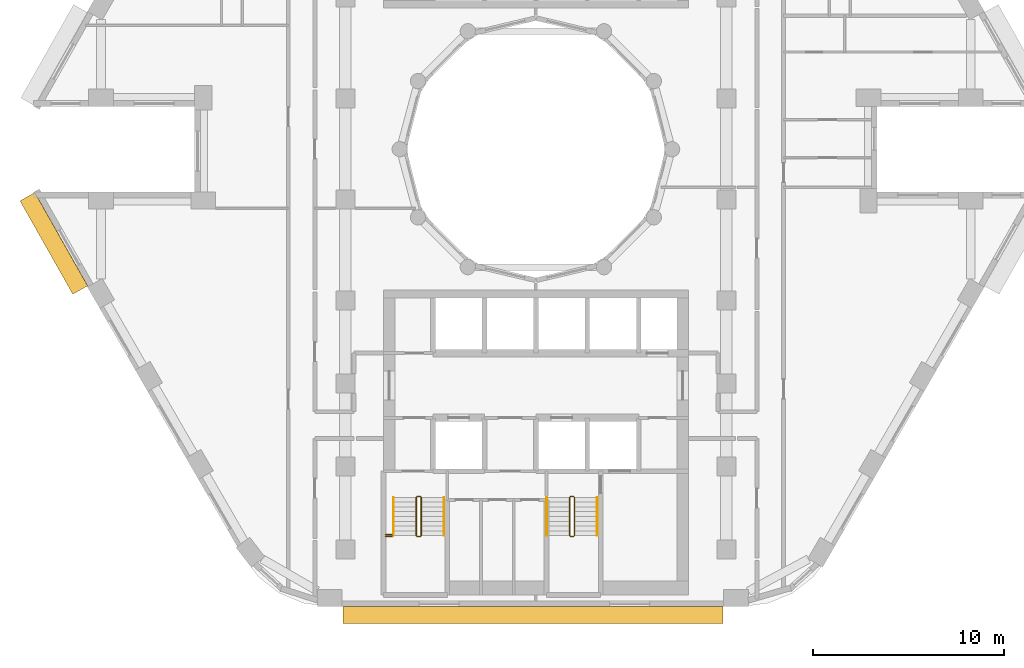
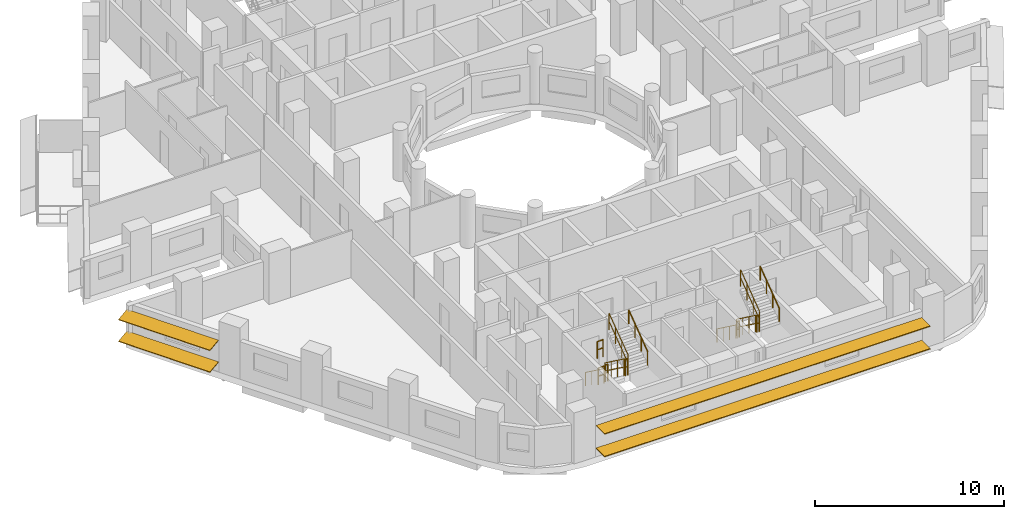
# One storey, part 12 of 14: 14 railings, 4 shading devices.
"""IFC4 building model written with IfcOpenShell, lengths in metres."""

from ifc_helpers import new_model, si_unit, direction, frame, origin, origin_2d, place, context, subcontext, project, spatial, rectangle, circle, extrude, material, material_profile, profile_set, type_object, element, save


model = new_model("IFC4")

# Units and contexts
model_context = context("Model", 3, precision=1e-05, world=origin(), true_north=direction((0.0, 1.0)))
body_context = subcontext(model_context, "Body", "Model", "MODEL_VIEW")
ifc_project = project(units=[si_unit("LENGTHUNIT", "METRE"), si_unit("AREAUNIT", "SQUARE_METRE"), si_unit("VOLUMEUNIT", "CUBIC_METRE"), si_unit("PLANEANGLEUNIT", "RADIAN"), si_unit("MASSUNIT", "GRAM", prefix="KILO")], contexts=[model_context])

# Site, building, storey
site_placement = place(None, origin())
site = spatial("IfcSite", under=ifc_project, at=site_placement, CompositionType="ELEMENT")
building_placement = place(site_placement, origin())
building = spatial("IfcBuilding", under=site, at=building_placement, Name="Nakaniwa Court", CompositionType="ELEMENT")
storey_placement = place(building_placement, frame((0.0, 0.0, 127.199951171875)))
storey = spatial("IfcBuildingStorey", under=building, at=storey_placement, Name="L32", CompositionType="ELEMENT", Elevation=127.199951171875)

# Shading devices
ifc_material_1 = material(Name="Perforated charcoal ceramic louvre blade")
ifc_material_profile = material_profile(ifc_material_1, rectangle(XDim=0.89990234375, YDim=0.050048828125, at=origin_2d()), Name="Perforated ceramic louvre blade")
ifc_profile_set = profile_set([ifc_material_profile], Name="Perforated charcoal ceramic louvre blade")
shading_device_type = type_object("IfcShadingDeviceType", Name="Perforated ceramic louvre blade", PredefinedType="JALOUSIE", material=ifc_profile_set)
for number, where, z_axis, x_axis, name in (
    (1, (53.31689453125, 77.5078125, 0.550048828125), (0.49253187421, -0.870294405869, 0.0), (0.862649339692, 0.488205247786, 0.132256390257), "L32 perforated ceramic louvre blade w20 1"),
    (2, (53.31689453125, 77.5078125, 1.955810546875), (0.49253187421, -0.870294405869, 0.0), (0.862649339692, 0.488205247786, 0.132256390257), "L32 perforated ceramic louvre blade w20 2"),
):
    element("IfcShadingDevice", number, at=place(storey_placement, frame(where, z_axis=z_axis, x_axis=x_axis)), inside=storey, type_object=shading_device_type, Name=name, PredefinedType="JALOUSIE", context=body_context, shape_type="SweptSolid", body=[
        extrude(rectangle(XDim=0.89990234375, YDim=0.050048828125, at=origin_2d()), origin(), (0.0, 0.0, 1.0), 5.62646484375),
    ])
for number, where, z_axis, x_axis, name in (
    (3, (69.871337890625, 55.550048828125, 0.550048828125), (1.0, 0.0, 0.0), (0.0, 1.0, 0.0), "L32 perforated ceramic louvre blade w26 1"),
    (4, (69.871337890625, 55.550048828125, 2.01513671875), (1.0, 0.0, 0.0), (0.0, 1.0, 0.0), "L32 perforated ceramic louvre blade w26 2"),
):
    element("IfcShadingDevice", number, at=place(storey_placement, frame(where, z_axis=z_axis, x_axis=x_axis)), inside=storey, type_object=shading_device_type, Name=name, PredefinedType="JALOUSIE", context=body_context, shape_type="SweptSolid", body=[
        extrude(rectangle(XDim=0.89990234375, YDim=0.050048828125, at=origin_2d()), origin(), (0.0, 0.0, 1.0), 19.939697265625),
    ])

# Railings
ifc_material_2 = material(Name="Black powder coated steel guard", Category="steel")
railing_type_1 = type_object("IfcRailingType", Name="Stair guard 1100", PredefinedType="GUARDRAIL", material=ifc_material_2)
railing_1_placement = place(storey_placement, frame((73.72509765625, 61.72509765625, 0.183349609375)))
element("IfcRailing", 5, at=railing_1_placement, inside=storey, type_object=railing_type_1, Name="L32 ST3 stair guard 1", PredefinedType="GUARDRAIL", context=body_context, shape_type="SweptSolid", body=[
    extrude(circle(Radius=0.02392578125, at=origin_2d()), frame((0.0, 0.0, 1.076171875), z_axis=(0.0, -0.806379959628, 0.591397802423), x_axis=(1.0, 0.0, 0.0)), (0.0, 0.0, 1.0), 2.480224609375),
    extrude(circle(Radius=0.02392578125, at=origin_2d()), frame((0.0, 0.0, 0.550048828125), z_axis=(0.0, -0.806379959628, 0.591397802423), x_axis=(1.0, 0.0, 0.0)), (0.0, 0.0, 1.0), 2.480224609375),
    extrude(circle(Radius=0.02099609375, at=origin_2d()), origin(), (0.0, 0.0, 1.0), 1.052001953125),
    extrude(circle(Radius=0.02099609375, at=origin_2d()), frame((0.0, -0.666748046875, 0.489013671875)), (0.0, 0.0, 1.0), 1.052001953125),
    extrude(circle(Radius=0.02099609375, at=origin_2d()), frame((0.0, -1.333251953125, 0.977783203125)), (0.0, 0.0, 1.0), 1.052001953125),
    extrude(circle(Radius=0.02099609375, at=origin_2d()), frame((0.0, -2.0, 1.466796875)), (0.0, 0.0, 1.0), 1.052001953125),
])
railing_2_placement = place(storey_placement, frame((73.77490234375, 59.675048828125, 1.650146484375)))
element("IfcRailing", 6, at=railing_2_placement, inside=storey, type_object=railing_type_1, Name="L32 ST3 stair guard 2", PredefinedType="GUARDRAIL", context=body_context, shape_type="SweptSolid", body=[
    extrude(circle(Radius=0.02392578125, at=origin_2d()), frame((0.0, 0.0, 1.076171875), z_axis=(1.0, 0.0, 0.0), x_axis=(0.0, 1.0, 0.0)), (0.0, 0.0, 1.0), 0.150146484375),
    extrude(circle(Radius=0.02392578125, at=origin_2d()), frame((0.0, 0.0, 0.550048828125), z_axis=(1.0, 0.0, 0.0), x_axis=(0.0, 1.0, 0.0)), (0.0, 0.0, 1.0), 0.150146484375),
    extrude(circle(Radius=0.02099609375, at=origin_2d()), origin(), (0.0, 0.0, 1.0), 1.052001953125),
    extrude(circle(Radius=0.02099609375, at=origin_2d()), frame((0.150146484375, 0.0, 0.0)), (0.0, 0.0, 1.0), 1.052001953125),
])
railing_3_placement = place(storey_placement, frame((73.97509765625, 59.72509765625, 1.83349609375)))
element("IfcRailing", 7, at=railing_3_placement, inside=storey, type_object=railing_type_1, Name="L32 ST3 stair guard 3", PredefinedType="GUARDRAIL", context=body_context, shape_type="SweptSolid", body=[
    extrude(circle(Radius=0.02392578125, at=origin_2d()), frame((0.0, 0.0, 1.076171875), z_axis=(0.0, 0.806426902644, 0.591333789573), x_axis=(-1.0, 0.0, 0.0)), (0.0, 0.0, 1.0), 2.47998046875),
    extrude(circle(Radius=0.02392578125, at=origin_2d()), frame((0.0, 0.0, 0.550048828125), z_axis=(0.0, 0.806426902644, 0.591333789573), x_axis=(-1.0, 0.0, 0.0)), (0.0, 0.0, 1.0), 2.47998046875),
    extrude(circle(Radius=0.02099609375, at=origin_2d()), origin(), (0.0, 0.0, 1.0), 1.052001953125),
    extrude(circle(Radius=0.02099609375, at=origin_2d()), frame((0.0, 0.666748046875, 0.48876953125)), (0.0, 0.0, 1.0), 1.052001953125),
    extrude(circle(Radius=0.02099609375, at=origin_2d()), frame((0.0, 1.333251953125, 0.977783203125)), (0.0, 0.0, 1.0), 1.052001953125),
    extrude(circle(Radius=0.02099609375, at=origin_2d()), frame((0.0, 2.0, 1.466552734375)), (0.0, 0.0, 1.0), 1.052001953125),
])
railing_4_placement = place(storey_placement, frame((73.77490234375, 61.77490234375, 0.0)))
element("IfcRailing", 8, at=railing_4_placement, inside=storey, type_object=railing_type_1, Name="L32 ST3 stair guard 4", PredefinedType="GUARDRAIL", context=body_context, shape_type="SweptSolid", body=[
    extrude(circle(Radius=0.02392578125, at=origin_2d()), frame((0.0, 0.0, 1.076171875), z_axis=(1.0, 0.0, 0.0), x_axis=(0.0, 1.0, 0.0)), (0.0, 0.0, 1.0), 0.150146484375),
    extrude(circle(Radius=0.02392578125, at=origin_2d()), frame((0.0, 0.0, 0.550048828125), z_axis=(1.0, 0.0, 0.0), x_axis=(0.0, 1.0, 0.0)), (0.0, 0.0, 1.0), 0.150146484375),
    extrude(circle(Radius=0.02099609375, at=origin_2d()), origin(), (0.0, 0.0, 1.0), 1.052001953125),
    extrude(circle(Radius=0.02099609375, at=origin_2d()), frame((0.150146484375, 0.0, 0.0)), (0.0, 0.0, 1.0), 1.052001953125),
])
for number, where, name in (
    (9, (72.125, 59.675048828125, 1.650146484375), "L32 ST3 landing side guard 1W"),
    (10, (72.125, 59.77490234375, 3.300048828125), "L32 ST3 floor edge guard 1W"),
):
    element("IfcRailing", number, at=place(storey_placement, frame(where)), inside=storey, type_object=railing_type_1, Name=name, PredefinedType="GUARDRAIL", context=body_context, shape_type="SweptSolid", body=[
        extrude(circle(Radius=0.02392578125, at=origin_2d()), frame((0.0, 0.0, 1.076171875), z_axis=(1.0, 0.0, 0.0), x_axis=(0.0, 1.0, 0.0)), (0.0, 0.0, 1.0), 0.35009765625),
        extrude(circle(Radius=0.02392578125, at=origin_2d()), frame((0.0, 0.0, 0.550048828125), z_axis=(1.0, 0.0, 0.0), x_axis=(0.0, 1.0, 0.0)), (0.0, 0.0, 1.0), 0.35009765625),
        extrude(circle(Radius=0.02099609375, at=origin_2d()), origin(), (0.0, 0.0, 1.0), 1.052001953125),
        extrude(circle(Radius=0.02099609375, at=origin_2d()), frame((0.35009765625, 0.0, 0.0)), (0.0, 0.0, 1.0), 1.052001953125),
    ])
railing_5_placement = place(storey_placement, frame((81.77490234375, 61.72509765625, 0.183349609375)))
element("IfcRailing", 11, at=railing_5_placement, inside=storey, type_object=railing_type_1, Name="L32 ST4 stair guard 1", PredefinedType="GUARDRAIL", context=body_context, shape_type="SweptSolid", body=[
    extrude(circle(Radius=0.02392578125, at=origin_2d()), frame((0.0, 0.0, 1.076171875), z_axis=(0.0, -0.806379959628, 0.591397802423), x_axis=(1.0, 0.0, 0.0)), (0.0, 0.0, 1.0), 2.480224609375),
    extrude(circle(Radius=0.02392578125, at=origin_2d()), frame((0.0, 0.0, 0.550048828125), z_axis=(0.0, -0.806379959628, 0.591397802423), x_axis=(1.0, 0.0, 0.0)), (0.0, 0.0, 1.0), 2.480224609375),
    extrude(circle(Radius=0.02099609375, at=origin_2d()), origin(), (0.0, 0.0, 1.0), 1.052001953125),
    extrude(circle(Radius=0.02099609375, at=origin_2d()), frame((0.0, -0.666748046875, 0.489013671875)), (0.0, 0.0, 1.0), 1.052001953125),
    extrude(circle(Radius=0.02099609375, at=origin_2d()), frame((0.0, -1.333251953125, 0.977783203125)), (0.0, 0.0, 1.0), 1.052001953125),
    extrude(circle(Radius=0.02099609375, at=origin_2d()), frame((0.0, -2.0, 1.466796875)), (0.0, 0.0, 1.0), 1.052001953125),
])
railing_6_placement = place(storey_placement, frame((81.824951171875, 59.675048828125, 1.650146484375)))
element("IfcRailing", 12, at=railing_6_placement, inside=storey, type_object=railing_type_1, Name="L32 ST4 stair guard 2", PredefinedType="GUARDRAIL", context=body_context, shape_type="SweptSolid", body=[
    extrude(circle(Radius=0.02392578125, at=origin_2d()), frame((0.0, 0.0, 1.076171875), z_axis=(1.0, 0.0, 0.0), x_axis=(0.0, 1.0, 0.0)), (0.0, 0.0, 1.0), 0.150146484375),
    extrude(circle(Radius=0.02392578125, at=origin_2d()), frame((0.0, 0.0, 0.550048828125), z_axis=(1.0, 0.0, 0.0), x_axis=(0.0, 1.0, 0.0)), (0.0, 0.0, 1.0), 0.150146484375),
    extrude(circle(Radius=0.02099609375, at=origin_2d()), origin(), (0.0, 0.0, 1.0), 1.052001953125),
    extrude(circle(Radius=0.02099609375, at=origin_2d()), frame((0.150146484375, 0.0, 0.0)), (0.0, 0.0, 1.0), 1.052001953125),
])
railing_7_placement = place(storey_placement, frame((82.02490234375, 59.72509765625, 1.83349609375)))
element("IfcRailing", 13, at=railing_7_placement, inside=storey, type_object=railing_type_1, Name="L32 ST4 stair guard 3", PredefinedType="GUARDRAIL", context=body_context, shape_type="SweptSolid", body=[
    extrude(circle(Radius=0.02392578125, at=origin_2d()), frame((0.0, 0.0, 1.076171875), z_axis=(0.0, 0.806426902644, 0.591333789573), x_axis=(-1.0, 0.0, 0.0)), (0.0, 0.0, 1.0), 2.47998046875),
    extrude(circle(Radius=0.02392578125, at=origin_2d()), frame((0.0, 0.0, 0.550048828125), z_axis=(0.0, 0.806426902644, 0.591333789573), x_axis=(-1.0, 0.0, 0.0)), (0.0, 0.0, 1.0), 2.47998046875),
    extrude(circle(Radius=0.02099609375, at=origin_2d()), origin(), (0.0, 0.0, 1.0), 1.052001953125),
    extrude(circle(Radius=0.02099609375, at=origin_2d()), frame((0.0, 0.666748046875, 0.48876953125)), (0.0, 0.0, 1.0), 1.052001953125),
    extrude(circle(Radius=0.02099609375, at=origin_2d()), frame((0.0, 1.333251953125, 0.977783203125)), (0.0, 0.0, 1.0), 1.052001953125),
    extrude(circle(Radius=0.02099609375, at=origin_2d()), frame((0.0, 2.0, 1.466552734375)), (0.0, 0.0, 1.0), 1.052001953125),
])
railing_8_placement = place(storey_placement, frame((81.824951171875, 61.77490234375, 0.0)))
element("IfcRailing", 14, at=railing_8_placement, inside=storey, type_object=railing_type_1, Name="L32 ST4 stair guard 4", PredefinedType="GUARDRAIL", context=body_context, shape_type="SweptSolid", body=[
    extrude(circle(Radius=0.02392578125, at=origin_2d()), frame((0.0, 0.0, 1.076171875), z_axis=(1.0, 0.0, 0.0), x_axis=(0.0, 1.0, 0.0)), (0.0, 0.0, 1.0), 0.150146484375),
    extrude(circle(Radius=0.02392578125, at=origin_2d()), frame((0.0, 0.0, 0.550048828125), z_axis=(1.0, 0.0, 0.0), x_axis=(0.0, 1.0, 0.0)), (0.0, 0.0, 1.0), 0.150146484375),
    extrude(circle(Radius=0.02099609375, at=origin_2d()), origin(), (0.0, 0.0, 1.0), 1.052001953125),
    extrude(circle(Radius=0.02099609375, at=origin_2d()), frame((0.150146484375, 0.0, 0.0)), (0.0, 0.0, 1.0), 1.052001953125),
])
ifc_material_3 = material(Name="Black powder coated steel handrail", Category="steel")
railing_type_2 = type_object("IfcRailingType", Name="Stair handrail 900", PredefinedType="HANDRAIL", material=ifc_material_3)
railing_9_placement = place(storey_placement, frame((72.52490234375, 61.72509765625, 0.183349609375)))
element("IfcRailing", 15, at=railing_9_placement, inside=storey, type_object=railing_type_2, Name="L32 ST3 stair handrail 1", PredefinedType="HANDRAIL", context=body_context, shape_type="SweptSolid", body=[
    extrude(circle(Radius=0.02392578125, at=origin_2d()), frame((0.0, 0.0, 0.8759765625), z_axis=(0.0, -0.806379959628, 0.591397802423), x_axis=(1.0, 0.0, 0.0)), (0.0, 0.0, 1.0), 2.480224609375),
    extrude(circle(Radius=0.02099609375, at=origin_2d()), origin(), (0.0, 0.0, 1.0), 0.851806640625),
    extrude(circle(Radius=0.02099609375, at=origin_2d()), frame((0.0, -0.666748046875, 0.489013671875)), (0.0, 0.0, 1.0), 0.851806640625),
    extrude(circle(Radius=0.02099609375, at=origin_2d()), frame((0.0, -1.333251953125, 0.977783203125)), (0.0, 0.0, 1.0), 0.851806640625),
    extrude(circle(Radius=0.02099609375, at=origin_2d()), frame((0.0, -2.0, 1.466796875)), (0.0, 0.0, 1.0), 0.851806640625),
])
railing_10_placement = place(storey_placement, frame((75.175048828125, 59.72509765625, 1.83349609375)))
element("IfcRailing", 16, at=railing_10_placement, inside=storey, type_object=railing_type_2, Name="L32 ST3 stair handrail 2", PredefinedType="HANDRAIL", context=body_context, shape_type="SweptSolid", body=[
    extrude(circle(Radius=0.02392578125, at=origin_2d()), frame((0.0, 0.0, 0.8759765625), z_axis=(0.0, 0.806426902644, 0.591333789573), x_axis=(-1.0, 0.0, 0.0)), (0.0, 0.0, 1.0), 2.47998046875),
    extrude(circle(Radius=0.02099609375, at=origin_2d()), origin(), (0.0, 0.0, 1.0), 0.851806640625),
    extrude(circle(Radius=0.02099609375, at=origin_2d()), frame((0.0, 0.666748046875, 0.48876953125)), (0.0, 0.0, 1.0), 0.851806640625),
    extrude(circle(Radius=0.02099609375, at=origin_2d()), frame((0.0, 1.333251953125, 0.977783203125)), (0.0, 0.0, 1.0), 0.851806640625),
    extrude(circle(Radius=0.02099609375, at=origin_2d()), frame((0.0, 2.0, 1.466552734375)), (0.0, 0.0, 1.0), 0.851806640625),
])
railing_11_placement = place(storey_placement, frame((80.574951171875, 61.72509765625, 0.183349609375)))
element("IfcRailing", 17, at=railing_11_placement, inside=storey, type_object=railing_type_2, Name="L32 ST4 stair handrail 1", PredefinedType="HANDRAIL", context=body_context, shape_type="SweptSolid", body=[
    extrude(circle(Radius=0.02392578125, at=origin_2d()), frame((0.0, 0.0, 0.8759765625), z_axis=(0.0, -0.806379959628, 0.591397802423), x_axis=(1.0, 0.0, 0.0)), (0.0, 0.0, 1.0), 2.480224609375),
    extrude(circle(Radius=0.02099609375, at=origin_2d()), origin(), (0.0, 0.0, 1.0), 0.851806640625),
    extrude(circle(Radius=0.02099609375, at=origin_2d()), frame((0.0, -0.666748046875, 0.489013671875)), (0.0, 0.0, 1.0), 0.851806640625),
    extrude(circle(Radius=0.02099609375, at=origin_2d()), frame((0.0, -1.333251953125, 0.977783203125)), (0.0, 0.0, 1.0), 0.851806640625),
    extrude(circle(Radius=0.02099609375, at=origin_2d()), frame((0.0, -2.0, 1.466796875)), (0.0, 0.0, 1.0), 0.851806640625),
])
railing_12_placement = place(storey_placement, frame((83.22509765625, 59.72509765625, 1.83349609375)))
element("IfcRailing", 18, at=railing_12_placement, inside=storey, type_object=railing_type_2, Name="L32 ST4 stair handrail 2", PredefinedType="HANDRAIL", context=body_context, shape_type="SweptSolid", body=[
    extrude(circle(Radius=0.02392578125, at=origin_2d()), frame((0.0, 0.0, 0.8759765625), z_axis=(0.0, 0.806426902644, 0.591333789573), x_axis=(-1.0, 0.0, 0.0)), (0.0, 0.0, 1.0), 2.47998046875),
    extrude(circle(Radius=0.02099609375, at=origin_2d()), origin(), (0.0, 0.0, 1.0), 0.851806640625),
    extrude(circle(Radius=0.02099609375, at=origin_2d()), frame((0.0, 0.666748046875, 0.48876953125)), (0.0, 0.0, 1.0), 0.851806640625),
    extrude(circle(Radius=0.02099609375, at=origin_2d()), frame((0.0, 1.333251953125, 0.977783203125)), (0.0, 0.0, 1.0), 0.851806640625),
    extrude(circle(Radius=0.02099609375, at=origin_2d()), frame((0.0, 2.0, 1.466552734375)), (0.0, 0.0, 1.0), 0.851806640625),
])

save(model, "model.ifc")
